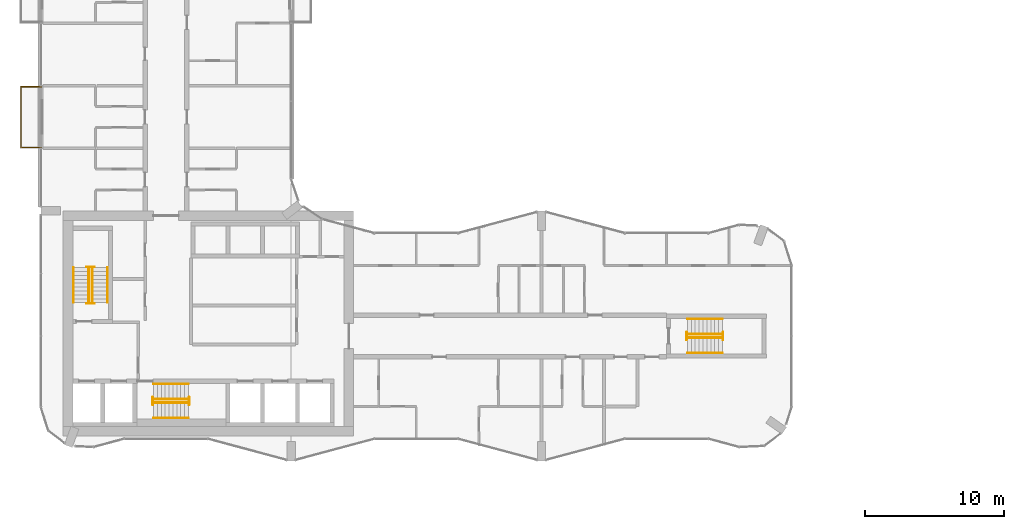
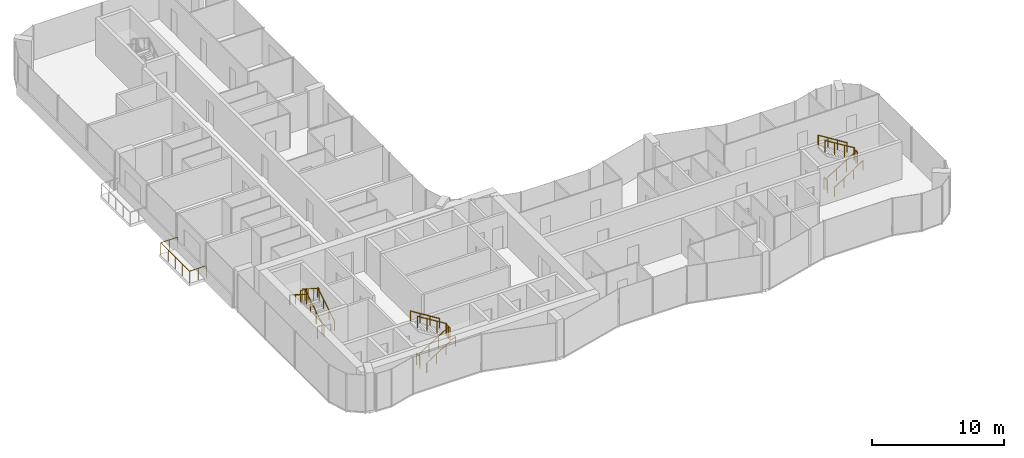
# One storey, part 21 of 23: 19 railings.
"""IFC4 building model written with IfcOpenShell, lengths in metres."""

from ifc_helpers import new_model, si_unit, direction, frame, origin, origin_2d, place, context, subcontext, project, spatial, circle, extrude, material, type_object, element, save


model = new_model("IFC4")

# Units and contexts
model_context = context("Model", 3, precision=1e-05, world=origin(), true_north=direction((0.0, 1.0)))
body_context = subcontext(model_context, "Body", "Model", "MODEL_VIEW")
ifc_project = project(units=[si_unit("LENGTHUNIT", "METRE"), si_unit("AREAUNIT", "SQUARE_METRE"), si_unit("VOLUMEUNIT", "CUBIC_METRE"), si_unit("PLANEANGLEUNIT", "RADIAN"), si_unit("MASSUNIT", "GRAM", prefix="KILO")], contexts=[model_context])

# Site, building, storey
site_placement = place(None, origin())
site = spatial("IfcSite", under=ifc_project, at=site_placement, CompositionType="ELEMENT")
building_placement = place(site_placement, origin())
building = spatial("IfcBuilding", under=site, at=building_placement, Name="Plateau Cross Towers", CompositionType="ELEMENT")
storey_placement = place(building_placement, frame((0.0, 0.0, 92.300048828125)))
storey = spatial("IfcBuildingStorey", under=building, at=storey_placement, Name="L23", CompositionType="ELEMENT", Elevation=92.300048828125)

# Railings
ifc_material_1 = material(Name="Stainless steel and toughened glass", Category="steel")
railing_type_1 = type_object("IfcRailingType", Name="Glass balustrade guard 1100", PredefinedType="GUARDRAIL", material=ifc_material_1)
railing_1_placement = place(storey_placement, frame((0.050048828125, 22.570068359375, 0.0)))
element("IfcRailing", 1, at=railing_1_placement, inside=storey, type_object=railing_type_1, Name="Guard guard1", PredefinedType="GUARDRAIL", context=body_context, shape_type="SweptSolid", body=[
    extrude(circle(Radius=0.02392578125, at=origin_2d()), frame((0.0, 0.0, 1.076171875), z_axis=(-1.0, 0.0, 0.0), x_axis=(0.0, -1.0, 0.0)), (0.0, 0.0, 1.0), 1.47998046875),
    extrude(circle(Radius=0.02392578125, at=origin_2d()), frame((-1.47998046875, 0.0, 1.076171875), z_axis=(0.0, 1.0, 0.0), x_axis=(-1.0, 0.0, 0.0)), (0.0, 0.0, 1.0), 4.35986328125),
    extrude(circle(Radius=0.02392578125, at=origin_2d()), frame((-1.47998046875, 4.35986328125, 1.076171875), z_axis=(1.0, 0.0, 0.0), x_axis=(0.0, 1.0, 0.0)), (0.0, 0.0, 1.0), 1.47998046875),
    extrude(circle(Radius=0.02099609375, at=origin_2d()), origin(), (0.0, 0.0, 1.0), 1.052001953125),
    extrude(circle(Radius=0.02099609375, at=origin_2d()), frame((-0.739990234375, 0.0, 0.0)), (0.0, 0.0, 1.0), 1.052001953125),
    extrude(circle(Radius=0.02099609375, at=origin_2d()), frame((-1.47998046875, 0.0, 0.0)), (0.0, 0.0, 1.0), 1.052001953125),
    extrude(circle(Radius=0.02099609375, at=origin_2d()), frame((-1.47998046875, 1.08984375, 0.0)), (0.0, 0.0, 1.0), 1.052001953125),
    extrude(circle(Radius=0.02099609375, at=origin_2d()), frame((-1.47998046875, 2.179931640625, 0.0)), (0.0, 0.0, 1.0), 1.052001953125),
    extrude(circle(Radius=0.02099609375, at=origin_2d()), frame((-1.47998046875, 3.27001953125, 0.0)), (0.0, 0.0, 1.0), 1.052001953125),
    extrude(circle(Radius=0.02099609375, at=origin_2d()), frame((-1.47998046875, 4.35986328125, 0.0)), (0.0, 0.0, 1.0), 1.052001953125),
    extrude(circle(Radius=0.02099609375, at=origin_2d()), frame((-0.739990234375, 4.35986328125, 0.0)), (0.0, 0.0, 1.0), 1.052001953125),
    extrude(circle(Radius=0.02099609375, at=origin_2d()), frame((0.0, 4.35986328125, 0.0)), (0.0, 0.0, 1.0), 1.052001953125),
])
railing_type_2 = type_object("IfcRailingType", Name="RL-GUARD-1100", PredefinedType="GUARDRAIL", material=ifc_material_1)
railing_2_placement = place(storey_placement, frame((3.699951171875, 11.39990234375, 0.175048828125)))
element("IfcRailing", 2, at=railing_2_placement, inside=storey, type_object=railing_type_2, Name="L23 ST-1 stair guard 1", PredefinedType="GUARDRAIL", context=body_context, shape_type="SweptSolid", body=[
    extrude(circle(Radius=0.02392578125, at=origin_2d()), frame((0.0, 0.0, 1.076171875), z_axis=(0.0, 0.848007534815, 0.529984170421), x_axis=(-1.0, 0.0, 0.0)), (0.0, 0.0, 1.0), 2.9716796875),
    extrude(circle(Radius=0.02099609375, at=origin_2d()), origin(), (0.0, 0.0, 1.0), 1.052001953125),
    extrude(circle(Radius=0.02099609375, at=origin_2d()), frame((0.0, 0.840087890625, 0.52490234375)), (0.0, 0.0, 1.0), 1.052001953125),
    extrude(circle(Radius=0.02099609375, at=origin_2d()), frame((0.0, 1.679931640625, 1.050048828125)), (0.0, 0.0, 1.0), 1.052001953125),
    extrude(circle(Radius=0.02099609375, at=origin_2d()), frame((0.0, 2.52001953125, 1.574951171875)), (0.0, 0.0, 1.0), 1.052001953125),
])
railing_3_placement = place(storey_placement, frame((3.85009765625, 13.969970703125, 1.75)))
element("IfcRailing", 3, at=railing_3_placement, inside=storey, type_object=railing_type_2, Name="L23 ST-1 stair guard 2", PredefinedType="GUARDRAIL", context=body_context, shape_type="SweptSolid", body=[
    extrude(circle(Radius=0.02392578125, at=origin_2d()), frame((0.0, 0.0, 1.076171875), z_axis=(-1.0, 0.0, 0.0), x_axis=(0.0, -1.0, 0.0)), (0.0, 0.0, 1.0), 0.550048828125),
    extrude(circle(Radius=0.02099609375, at=origin_2d()), origin(), (0.0, 0.0, 1.0), 1.052001953125),
    extrude(circle(Radius=0.02099609375, at=origin_2d()), frame((-0.550048828125, 0.0, 0.0)), (0.0, 0.0, 1.0), 1.052001953125),
])
railing_4_placement = place(storey_placement, frame((3.449951171875, 13.919921875, 1.925048828125)))
element("IfcRailing", 4, at=railing_4_placement, inside=storey, type_object=railing_type_2, Name="L23 ST-1 stair guard 3", PredefinedType="GUARDRAIL", context=body_context, shape_type="SweptSolid", body=[
    extrude(circle(Radius=0.02392578125, at=origin_2d()), frame((0.0, 0.0, 1.076171875), z_axis=(0.0, -0.852616386126, 0.522537365276), x_axis=(1.0, 0.0, 0.0)), (0.0, 0.0, 1.0), 3.01416015625),
    extrude(circle(Radius=0.02099609375, at=origin_2d()), origin(), (0.0, 0.0, 1.0), 1.052001953125),
    extrude(circle(Radius=0.02099609375, at=origin_2d()), frame((0.0, -0.856689453125, 0.52490234375)), (0.0, 0.0, 1.0), 1.052001953125),
    extrude(circle(Radius=0.02099609375, at=origin_2d()), frame((0.0, -1.713134765625, 1.050048828125)), (0.0, 0.0, 1.0), 1.052001953125),
    extrude(circle(Radius=0.02099609375, at=origin_2d()), frame((0.0, -2.56982421875, 1.574951171875)), (0.0, 0.0, 1.0), 1.052001953125),
])
railing_5_placement = place(storey_placement, frame((3.85009765625, 11.35009765625, 0.0)))
element("IfcRailing", 5, at=railing_5_placement, inside=storey, type_object=railing_type_2, Name="L23 ST-1 stair guard 4", PredefinedType="GUARDRAIL", context=body_context, shape_type="SweptSolid", body=[
    extrude(circle(Radius=0.02392578125, at=origin_2d()), frame((0.0, 0.0, 1.076171875), z_axis=(-1.0, 0.0, 0.0), x_axis=(0.0, -1.0, 0.0)), (0.0, 0.0, 1.0), 0.550048828125),
    extrude(circle(Radius=0.02099609375, at=origin_2d()), origin(), (0.0, 0.0, 1.0), 1.052001953125),
    extrude(circle(Radius=0.02099609375, at=origin_2d()), frame((-0.550048828125, 0.0, 0.0)), (0.0, 0.0, 1.0), 1.052001953125),
])
railing_6_placement = place(storey_placement, frame((8.10009765625, 4.199951171875, 0.175048828125)))
element("IfcRailing", 6, at=railing_6_placement, inside=storey, type_object=railing_type_2, Name="L23 ST-2 stair guard 1", PredefinedType="GUARDRAIL", context=body_context, shape_type="SweptSolid", body=[
    extrude(circle(Radius=0.02392578125, at=origin_2d()), frame((0.0, 0.0, 1.076171875), z_axis=(0.848007534815, 0.0, 0.529984170421), x_axis=(0.0, 1.0, 0.0)), (0.0, 0.0, 1.0), 2.9716796875),
    extrude(circle(Radius=0.02099609375, at=origin_2d()), origin(), (0.0, 0.0, 1.0), 1.052001953125),
    extrude(circle(Radius=0.02099609375, at=origin_2d()), frame((0.840087890625, 0.0, 0.52490234375)), (0.0, 0.0, 1.0), 1.052001953125),
    extrude(circle(Radius=0.02099609375, at=origin_2d()), frame((1.679931640625, 0.0, 1.050048828125)), (0.0, 0.0, 1.0), 1.052001953125),
    extrude(circle(Radius=0.02099609375, at=origin_2d()), frame((2.52001953125, 0.0, 1.574951171875)), (0.0, 0.0, 1.0), 1.052001953125),
])
railing_7_placement = place(storey_placement, frame((10.669921875, 4.050048828125, 1.75)))
element("IfcRailing", 7, at=railing_7_placement, inside=storey, type_object=railing_type_2, Name="L23 ST-2 stair guard 2", PredefinedType="GUARDRAIL", context=body_context, shape_type="SweptSolid", body=[
    extrude(circle(Radius=0.02392578125, at=origin_2d()), frame((0.0, 0.0, 1.076171875), z_axis=(0.0, 1.0, 0.0), x_axis=(-1.0, 0.0, 0.0)), (0.0, 0.0, 1.0), 0.550048828125),
    extrude(circle(Radius=0.02099609375, at=origin_2d()), origin(), (0.0, 0.0, 1.0), 1.052001953125),
    extrude(circle(Radius=0.02099609375, at=origin_2d()), frame((0.0, 0.550048828125, 0.0)), (0.0, 0.0, 1.0), 1.052001953125),
])
railing_8_placement = place(storey_placement, frame((10.6201171875, 4.449951171875, 1.925048828125)))
element("IfcRailing", 8, at=railing_8_placement, inside=storey, type_object=railing_type_2, Name="L23 ST-2 stair guard 3", PredefinedType="GUARDRAIL", context=body_context, shape_type="SweptSolid", body=[
    extrude(circle(Radius=0.02392578125, at=origin_2d()), frame((0.0, 0.0, 1.076171875), z_axis=(-0.852638500773, 0.0, 0.522501279423), x_axis=(0.0, -1.0, 0.0)), (0.0, 0.0, 1.0), 3.01416015625),
    extrude(circle(Radius=0.02099609375, at=origin_2d()), origin(), (0.0, 0.0, 1.0), 1.052001953125),
    extrude(circle(Radius=0.02099609375, at=origin_2d()), frame((-0.856689453125, 0.0, 0.52490234375)), (0.0, 0.0, 1.0), 1.052001953125),
    extrude(circle(Radius=0.02099609375, at=origin_2d()), frame((-1.71337890625, 0.0, 1.050048828125)), (0.0, 0.0, 1.0), 1.052001953125),
    extrude(circle(Radius=0.02099609375, at=origin_2d()), frame((-2.570068359375, 0.0, 1.574951171875)), (0.0, 0.0, 1.0), 1.052001953125),
])
railing_9_placement = place(storey_placement, frame((8.050048828125, 4.050048828125, 0.0)))
element("IfcRailing", 9, at=railing_9_placement, inside=storey, type_object=railing_type_2, Name="L23 ST-2 stair guard 4", PredefinedType="GUARDRAIL", context=body_context, shape_type="SweptSolid", body=[
    extrude(circle(Radius=0.02392578125, at=origin_2d()), frame((0.0, 0.0, 1.076171875), z_axis=(0.0, 1.0, 0.0), x_axis=(-1.0, 0.0, 0.0)), (0.0, 0.0, 1.0), 0.550048828125),
    extrude(circle(Radius=0.02099609375, at=origin_2d()), origin(), (0.0, 0.0, 1.0), 1.052001953125),
    extrude(circle(Radius=0.02099609375, at=origin_2d()), frame((0.0, 0.550048828125, 0.0)), (0.0, 0.0, 1.0), 1.052001953125),
])
railing_10_placement = place(storey_placement, frame((46.5, 8.875, 0.175048828125)))
element("IfcRailing", 10, at=railing_10_placement, inside=storey, type_object=railing_type_2, Name="L23 ES-E stair guard 1", PredefinedType="GUARDRAIL", context=body_context, shape_type="SweptSolid", body=[
    extrude(circle(Radius=0.02392578125, at=origin_2d()), frame((0.0, 0.0, 1.076171875), z_axis=(0.848007534815, 0.0, 0.529984170421), x_axis=(0.0, 1.0, 0.0)), (0.0, 0.0, 1.0), 2.9716796875),
    extrude(circle(Radius=0.02099609375, at=origin_2d()), origin(), (0.0, 0.0, 1.0), 1.052001953125),
    extrude(circle(Radius=0.02099609375, at=origin_2d()), frame((0.840087890625, 0.0, 0.52490234375)), (0.0, 0.0, 1.0), 1.052001953125),
    extrude(circle(Radius=0.02099609375, at=origin_2d()), frame((1.679931640625, 0.0, 1.050048828125)), (0.0, 0.0, 1.0), 1.052001953125),
    extrude(circle(Radius=0.02099609375, at=origin_2d()), frame((2.52001953125, 0.0, 1.574951171875)), (0.0, 0.0, 1.0), 1.052001953125),
])
railing_11_placement = place(storey_placement, frame((49.070068359375, 8.72509765625, 1.75)))
element("IfcRailing", 11, at=railing_11_placement, inside=storey, type_object=railing_type_2, Name="L23 ES-E stair guard 2", PredefinedType="GUARDRAIL", context=body_context, shape_type="SweptSolid", body=[
    extrude(circle(Radius=0.02392578125, at=origin_2d()), frame((0.0, 0.0, 1.076171875), z_axis=(0.0, 1.0, 0.0), x_axis=(-1.0, 0.0, 0.0)), (0.0, 0.0, 1.0), 0.5498046875),
    extrude(circle(Radius=0.02099609375, at=origin_2d()), origin(), (0.0, 0.0, 1.0), 1.052001953125),
    extrude(circle(Radius=0.02099609375, at=origin_2d()), frame((0.0, 0.5498046875, 0.0)), (0.0, 0.0, 1.0), 1.052001953125),
])
railing_12_placement = place(storey_placement, frame((49.02001953125, 9.125, 1.925048828125)))
element("IfcRailing", 12, at=railing_12_placement, inside=storey, type_object=railing_type_2, Name="L23 ES-E stair guard 3", PredefinedType="GUARDRAIL", context=body_context, shape_type="SweptSolid", body=[
    extrude(circle(Radius=0.02392578125, at=origin_2d()), frame((0.0, 0.0, 1.076171875), z_axis=(-0.852638500773, 0.0, 0.522501279423), x_axis=(0.0, -1.0, 0.0)), (0.0, 0.0, 1.0), 3.01416015625),
    extrude(circle(Radius=0.02099609375, at=origin_2d()), origin(), (0.0, 0.0, 1.0), 1.052001953125),
    extrude(circle(Radius=0.02099609375, at=origin_2d()), frame((-0.856689453125, 0.0, 0.52490234375)), (0.0, 0.0, 1.0), 1.052001953125),
    extrude(circle(Radius=0.02099609375, at=origin_2d()), frame((-1.71337890625, 0.0, 1.050048828125)), (0.0, 0.0, 1.0), 1.052001953125),
    extrude(circle(Radius=0.02099609375, at=origin_2d()), frame((-2.570068359375, 0.0, 1.574951171875)), (0.0, 0.0, 1.0), 1.052001953125),
])
railing_13_placement = place(storey_placement, frame((46.449951171875, 8.72509765625, 0.0)))
element("IfcRailing", 13, at=railing_13_placement, inside=storey, type_object=railing_type_2, Name="L23 ES-E stair guard 4", PredefinedType="GUARDRAIL", context=body_context, shape_type="SweptSolid", body=[
    extrude(circle(Radius=0.02392578125, at=origin_2d()), frame((0.0, 0.0, 1.076171875), z_axis=(0.0, 1.0, 0.0), x_axis=(-1.0, 0.0, 0.0)), (0.0, 0.0, 1.0), 0.5498046875),
    extrude(circle(Radius=0.02099609375, at=origin_2d()), origin(), (0.0, 0.0, 1.0), 1.052001953125),
    extrude(circle(Radius=0.02099609375, at=origin_2d()), frame((0.0, 0.5498046875, 0.0)), (0.0, 0.0, 1.0), 1.052001953125),
])
ifc_material_2 = material(Name="Black anodised aluminium", Category="aluminium")
railing_type_3 = type_object("IfcRailingType", Name="RL-HANDRAIL-900", PredefinedType="HANDRAIL", material=ifc_material_2)
railing_14_placement = place(storey_placement, frame((4.800048828125, 11.39990234375, 0.175048828125)))
element("IfcRailing", 14, at=railing_14_placement, inside=storey, type_object=railing_type_3, Name="L23 ST-1 stair handrail 1", PredefinedType="HANDRAIL", context=body_context, shape_type="SweptSolid", body=[
    extrude(circle(Radius=0.02392578125, at=origin_2d()), frame((0.0, 0.0, 0.8759765625), z_axis=(0.0, 0.848007534815, 0.529984170421), x_axis=(-1.0, 0.0, 0.0)), (0.0, 0.0, 1.0), 2.9716796875),
    extrude(circle(Radius=0.02099609375, at=origin_2d()), origin(), (0.0, 0.0, 1.0), 0.851806640625),
    extrude(circle(Radius=0.02099609375, at=origin_2d()), frame((0.0, 0.840087890625, 0.52490234375)), (0.0, 0.0, 1.0), 0.851806640625),
    extrude(circle(Radius=0.02099609375, at=origin_2d()), frame((0.0, 1.679931640625, 1.050048828125)), (0.0, 0.0, 1.0), 0.851806640625),
    extrude(circle(Radius=0.02099609375, at=origin_2d()), frame((0.0, 2.52001953125, 1.574951171875)), (0.0, 0.0, 1.0), 0.851806640625),
])
railing_15_placement = place(storey_placement, frame((2.35009765625, 13.919921875, 1.925048828125)))
element("IfcRailing", 15, at=railing_15_placement, inside=storey, type_object=railing_type_3, Name="L23 ST-1 stair handrail 2", PredefinedType="HANDRAIL", context=body_context, shape_type="SweptSolid", body=[
    extrude(circle(Radius=0.02392578125, at=origin_2d()), frame((0.0, 0.0, 0.8759765625), z_axis=(0.0, -0.848007534815, 0.529984170421), x_axis=(1.0, 0.0, 0.0)), (0.0, 0.0, 1.0), 2.9716796875),
    extrude(circle(Radius=0.02099609375, at=origin_2d()), origin(), (0.0, 0.0, 1.0), 0.851806640625),
    extrude(circle(Radius=0.02099609375, at=origin_2d()), frame((0.0, -0.840087890625, 0.52490234375)), (0.0, 0.0, 1.0), 0.851806640625),
    extrude(circle(Radius=0.02099609375, at=origin_2d()), frame((0.0, -1.679931640625, 1.050048828125)), (0.0, 0.0, 1.0), 0.851806640625),
    extrude(circle(Radius=0.02099609375, at=origin_2d()), frame((0.0, -2.52001953125, 1.574951171875)), (0.0, 0.0, 1.0), 0.851806640625),
])
railing_16_placement = place(storey_placement, frame((8.10009765625, 3.10009765625, 0.175048828125)))
element("IfcRailing", 16, at=railing_16_placement, inside=storey, type_object=railing_type_3, Name="L23 ST-2 stair handrail 1", PredefinedType="HANDRAIL", context=body_context, shape_type="SweptSolid", body=[
    extrude(circle(Radius=0.02392578125, at=origin_2d()), frame((0.0, 0.0, 0.8759765625), z_axis=(0.848007534815, 0.0, 0.529984170421), x_axis=(0.0, 1.0, 0.0)), (0.0, 0.0, 1.0), 2.9716796875),
    extrude(circle(Radius=0.02099609375, at=origin_2d()), origin(), (0.0, 0.0, 1.0), 0.851806640625),
    extrude(circle(Radius=0.02099609375, at=origin_2d()), frame((0.840087890625, 0.0, 0.52490234375)), (0.0, 0.0, 1.0), 0.851806640625),
    extrude(circle(Radius=0.02099609375, at=origin_2d()), frame((1.679931640625, 0.0, 1.050048828125)), (0.0, 0.0, 1.0), 0.851806640625),
    extrude(circle(Radius=0.02099609375, at=origin_2d()), frame((2.52001953125, 0.0, 1.574951171875)), (0.0, 0.0, 1.0), 0.851806640625),
])
railing_17_placement = place(storey_placement, frame((10.6201171875, 5.550048828125, 1.925048828125)))
element("IfcRailing", 17, at=railing_17_placement, inside=storey, type_object=railing_type_3, Name="L23 ST-2 stair handrail 2", PredefinedType="HANDRAIL", context=body_context, shape_type="SweptSolid", body=[
    extrude(circle(Radius=0.02392578125, at=origin_2d()), frame((0.0, 0.0, 0.8759765625), z_axis=(-0.848007534815, 0.0, 0.529984170421), x_axis=(0.0, -1.0, 0.0)), (0.0, 0.0, 1.0), 2.9716796875),
    extrude(circle(Radius=0.02099609375, at=origin_2d()), origin(), (0.0, 0.0, 1.0), 0.851806640625),
    extrude(circle(Radius=0.02099609375, at=origin_2d()), frame((-0.840087890625, 0.0, 0.52490234375)), (0.0, 0.0, 1.0), 0.851806640625),
    extrude(circle(Radius=0.02099609375, at=origin_2d()), frame((-1.679931640625, 0.0, 1.050048828125)), (0.0, 0.0, 1.0), 0.851806640625),
    extrude(circle(Radius=0.02099609375, at=origin_2d()), frame((-2.52001953125, 0.0, 1.574951171875)), (0.0, 0.0, 1.0), 0.851806640625),
])
railing_18_placement = place(storey_placement, frame((46.5, 7.77490234375, 0.175048828125)))
element("IfcRailing", 18, at=railing_18_placement, inside=storey, type_object=railing_type_3, Name="L23 ES-E stair handrail 1", PredefinedType="HANDRAIL", context=body_context, shape_type="SweptSolid", body=[
    extrude(circle(Radius=0.02392578125, at=origin_2d()), frame((0.0, 0.0, 0.8759765625), z_axis=(0.848007534815, 0.0, 0.529984170421), x_axis=(0.0, 1.0, 0.0)), (0.0, 0.0, 1.0), 2.9716796875),
    extrude(circle(Radius=0.02099609375, at=origin_2d()), origin(), (0.0, 0.0, 1.0), 0.851806640625),
    extrude(circle(Radius=0.02099609375, at=origin_2d()), frame((0.840087890625, 0.0, 0.52490234375)), (0.0, 0.0, 1.0), 0.851806640625),
    extrude(circle(Radius=0.02099609375, at=origin_2d()), frame((1.679931640625, 0.0, 1.050048828125)), (0.0, 0.0, 1.0), 0.851806640625),
    extrude(circle(Radius=0.02099609375, at=origin_2d()), frame((2.52001953125, 0.0, 1.574951171875)), (0.0, 0.0, 1.0), 0.851806640625),
])
railing_19_placement = place(storey_placement, frame((49.02001953125, 10.22509765625, 1.925048828125)))
element("IfcRailing", 19, at=railing_19_placement, inside=storey, type_object=railing_type_3, Name="L23 ES-E stair handrail 2", PredefinedType="HANDRAIL", context=body_context, shape_type="SweptSolid", body=[
    extrude(circle(Radius=0.02392578125, at=origin_2d()), frame((0.0, 0.0, 0.8759765625), z_axis=(-0.848007534815, 0.0, 0.529984170421), x_axis=(0.0, -1.0, 0.0)), (0.0, 0.0, 1.0), 2.9716796875),
    extrude(circle(Radius=0.02099609375, at=origin_2d()), origin(), (0.0, 0.0, 1.0), 0.851806640625),
    extrude(circle(Radius=0.02099609375, at=origin_2d()), frame((-0.840087890625, 0.0, 0.52490234375)), (0.0, 0.0, 1.0), 0.851806640625),
    extrude(circle(Radius=0.02099609375, at=origin_2d()), frame((-1.679931640625, 0.0, 1.050048828125)), (0.0, 0.0, 1.0), 0.851806640625),
    extrude(circle(Radius=0.02099609375, at=origin_2d()), frame((-2.52001953125, 0.0, 1.574951171875)), (0.0, 0.0, 1.0), 0.851806640625),
])

save(model, "model.ifc")
